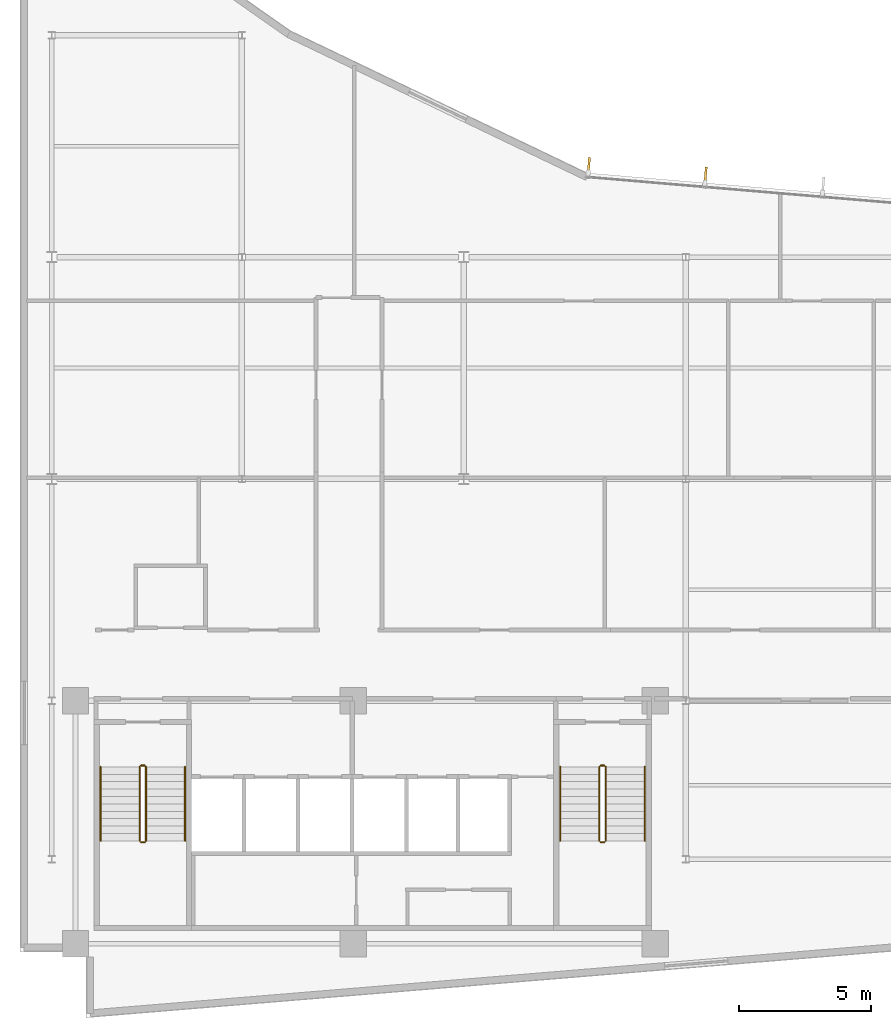
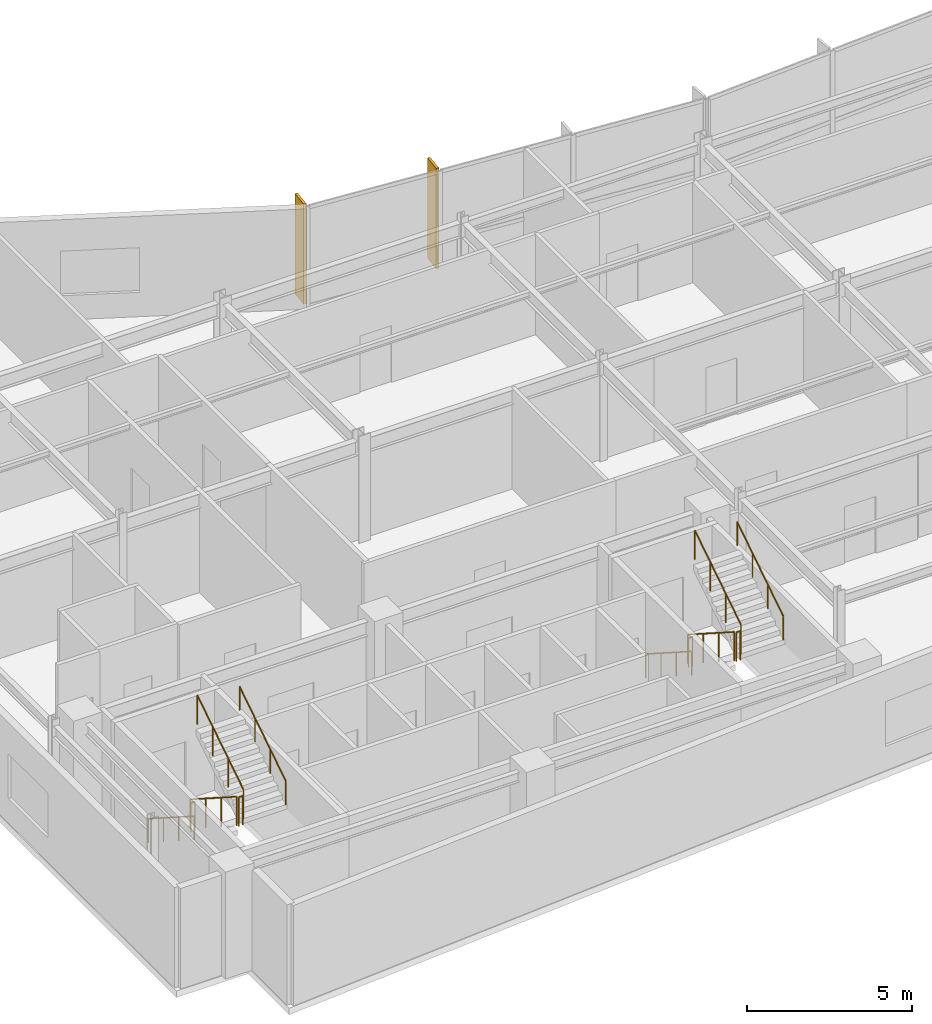
# One storey, part 12 of 14: 12 railings, 2 shading devices.
"""IFC4 building model written with IfcOpenShell, lengths in metres."""

import ifcopenshell
import ifcopenshell.guid

model = None  # the IFC model being written
_history = None  # IfcOwnerHistory: only IFC2X3 demands one
_inside = {}  # id of a spatial element -> (the spatial element, [elements in it])
_under = {}  # id of a project, library or spatial element -> (it, [spatial elements below it])
_declared = {}  # id of a project -> (the project, [libraries it declares])
_typed = {}  # id of a type object -> (the type object, [elements of that type])
_made_of = {}  # id of a material, layer set ... -> (it, [elements and type objects made of it])


def new_model(schema):
    """Start an empty IFC model of exactly this schema.

    Asked for "IFC4X3", IfcOpenShell would pick the latest addendum, in which some entities
    have other attributes; the version numbers below select the first issue.
    IFC2X3 requires an IfcOwnerHistory on every rooted entity: one is made here for all.
    """
    global model, _history
    if schema == "IFC4X3":
        model = ifcopenshell.file(schema_version=(4, 3, 0, 0))
    else:
        model = ifcopenshell.file(schema=schema)
    _inside.clear()
    _under.clear()
    _declared.clear()
    _typed.clear()
    _made_of.clear()
    _history = None
    if model.schema == "IFC2X3":
        org = make("IfcOrganization", Name="unknown")
        user = make(
            "IfcPersonAndOrganization",
            ThePerson=make("IfcPerson", FamilyName="unknown"),
            TheOrganization=org,
        )
        app = make(
            "IfcApplication",
            ApplicationDeveloper=org,
            Version="unknown",
            ApplicationFullName="unknown",
            ApplicationIdentifier="unknown",
        )
        _history = make(
            "IfcOwnerHistory",
            OwningUser=user,
            OwningApplication=app,
            ChangeAction="ADDED",
            CreationDate=0,
        )
    return model


def make(cls, **values):
    """One entity of the class cls with the attributes given. An attribute that is None is left unset."""
    return model.create_entity(
        cls, **{name: value for name, value in values.items() if value is not None}
    )


def rooted(cls, **values):
    """An entity with a GlobalId (a new one), such as an element, a storey or a relation."""
    return make(cls, GlobalId=ifcopenshell.guid.new(), OwnerHistory=_history, **values)


def si_unit(unit_type, name, prefix=None):
    """IfcSIUnit, for example si_unit("LENGTHUNIT", "METRE", prefix="MILLI")."""
    return make("IfcSIUnit", UnitType=unit_type, Prefix=prefix, Name=name)


def assignment(units):
    """IfcUnitAssignment: the units of a project."""
    return None if units is None else make("IfcUnitAssignment", Units=units)


def point(xyz):
    """IfcCartesianPoint."""
    return None if xyz is None else make("IfcCartesianPoint", Coordinates=xyz)


def direction(xyz):
    """IfcDirection."""
    return None if xyz is None else make("IfcDirection", DirectionRatios=xyz)


def frame(location, z_axis=None, x_axis=None):
    """IfcAxis2Placement3D, a coordinate frame: its origin and axes. An axis left out is left unset."""
    return make(
        "IfcAxis2Placement3D",
        Location=point(location),
        Axis=direction(z_axis),
        RefDirection=direction(x_axis),
    )


def frame_2d(location, x_axis=None):
    """IfcAxis2Placement2D, a coordinate frame in the plane: its origin and x axis."""
    return make(
        "IfcAxis2Placement2D", Location=point(location), RefDirection=direction(x_axis)
    )


def origin():
    """The frame at (0, 0, 0) with its axes left unset."""
    return frame((0.0, 0.0, 0.0))


def origin_2d():
    """The frame at (0, 0) in the plane with its x axis left unset."""
    return frame_2d((0.0, 0.0))


def place(relative_to, where):
    """IfcLocalPlacement: puts the frame where relative to a parent placement (None: the world)."""
    return make(
        "IfcLocalPlacement", PlacementRelTo=relative_to, RelativePlacement=where
    )


def context(
    kind, dimensions, precision=None, world=None, true_north=None, identifier=None
):
    """IfcGeometricRepresentationContext, for example the 3D "Model" context."""
    return make(
        "IfcGeometricRepresentationContext",
        ContextIdentifier=identifier,
        ContextType=kind,
        CoordinateSpaceDimension=dimensions,
        Precision=precision,
        WorldCoordinateSystem=world,
        TrueNorth=true_north,
    )


def subcontext(parent, identifier, kind, view, scale=None):
    """IfcGeometricRepresentationSubContext, for example "Body" below "Model"."""
    return make(
        "IfcGeometricRepresentationSubContext",
        ContextIdentifier=identifier,
        ContextType=kind,
        ParentContext=parent,
        TargetScale=scale,
        TargetView=view,
    )


def project(units=None, contexts=None):
    """IfcProject with its units and contexts."""
    return rooted(
        "IfcProject",
        Name="project",
        RepresentationContexts=contexts,
        UnitsInContext=assignment(units),
    )


def spatial(cls, under=None, at=None, **own):
    """A site, building, storey or space (cls), placed at a placement, below another one or the project."""
    s = rooted(cls, ObjectPlacement=at, **own)
    if under is not None:
        _under.setdefault(under.id(), (under, []))[1].append(s)
    return s


def profile(cls, at=None, kind="AREA", **sizes):
    """A parametric profile (cls). Its sizes go by their IFC names, for example OverallWidth=200.0."""
    return make(cls, ProfileType=kind, Position=at, **sizes)


def rectangle(**sizes):
    """IfcRectangleProfileDef."""
    return profile("IfcRectangleProfileDef", **sizes)


def circle(**sizes):
    """IfcCircleProfileDef."""
    return profile("IfcCircleProfileDef", **sizes)


def extrude(swept, where, along, depth):
    """IfcExtrudedAreaSolid: the profile swept, set in the frame where, extruded along a direction by depth."""
    return make(
        "IfcExtrudedAreaSolid",
        SweptArea=swept,
        Position=where,
        ExtrudedDirection=direction(along),
        Depth=depth,
    )


def shape(context_of_items, identifier, shape_type, items):
    """IfcShapeRepresentation: the items that make up one representation, for example the "Body"."""
    return make(
        "IfcShapeRepresentation",
        ContextOfItems=context_of_items,
        RepresentationIdentifier=identifier,
        RepresentationType=shape_type,
        Items=items,
    )


def material(Name=None, Category=None):
    """IfcMaterial."""
    return make("IfcMaterial", Name=Name, Category=Category)


def layer(
    of_material, thickness, ventilated=None, Name=None, Category=None, Priority=None
):
    """IfcMaterialLayer: one layer of a wall or slab, of a material (None: an air gap)."""
    return make(
        "IfcMaterialLayer",
        Material=of_material,
        LayerThickness=thickness,
        IsVentilated=ventilated,
        Name=Name,
        Category=Category,
        Priority=Priority,
    )


def layer_set(layers, Name=None):
    """IfcMaterialLayerSet."""
    return make("IfcMaterialLayerSet", MaterialLayers=layers, LayerSetName=Name)


def made_of(thing, what):
    """Note that an element or type object is made of a material, layer set ...; save() writes the relation."""
    if what is not None:
        _made_of.setdefault(what.id(), (what, []))[1].append(thing)
    return thing


def type_object(cls, material=None, **own):
    """A type object (cls), such as IfcWallType, which elements share."""
    return made_of(rooted(cls, **own), material)


def element(
    cls,
    number,
    at=None,
    inside=None,
    cuts=None,
    type_object=None,
    material=None,
    context=None,
    identifier="Body",
    shape_type=None,
    held_by="IfcProductDefinitionShape",
    body=None,
    shapes=None,
    **own,
):
    """One element of the class cls, such as IfcWall. Its Tag is "e" and its number.

    at: its placement. inside: the storey or other place that contains it. cuts: it is an
    opening in that element (IfcRelVoidsElement). A single representation is given by context,
    identifier, shape_type and body (its items); several are given by shapes. held_by: the class
    of the entity that holds the representations. save() writes the other relations.
    """
    e = rooted(cls, Tag="e%d" % number, ObjectPlacement=at, **own)
    if body is not None:
        shapes = [shape(context, identifier, shape_type, body)]
    if shapes is not None:
        e.Representation = make(held_by, Representations=shapes)
    if inside is not None:
        _inside.setdefault(inside.id(), (inside, []))[1].append(e)
    if cuts is not None:
        rooted(
            "IfcRelVoidsElement", RelatingBuildingElement=cuts, RelatedOpeningElement=e
        )
    if type_object is not None:
        _typed.setdefault(type_object.id(), (type_object, []))[1].append(e)
    return made_of(e, material)


def aggregate(whole, parts):
    """IfcRelAggregates: a whole, such as a stair, and the parts it consists of."""
    return rooted("IfcRelAggregates", RelatingObject=whole, RelatedObjects=parts)


def save(model, path):
    """Write the relations noted so far, then the file.

    IfcRelAggregates (storeys below a building ...), IfcRelContainedInSpatialStructure (elements
    in a storey), IfcRelDefinesByType, IfcRelAssociatesMaterial and IfcRelDeclares: one each for
    every whole, place, type object, material and project.
    """
    for whole, parts in _under.values():
        aggregate(whole, parts)
    for where, things in _inside.values():
        rooted(
            "IfcRelContainedInSpatialStructure",
            RelatedElements=things,
            RelatingStructure=where,
        )
    for kind, things in _typed.values():
        rooted("IfcRelDefinesByType", RelatedObjects=things, RelatingType=kind)
    for what, things in _made_of.values():
        rooted("IfcRelAssociatesMaterial", RelatedObjects=things, RelatingMaterial=what)
    for by, libraries in _declared.values():
        rooted("IfcRelDeclares", RelatingContext=by, RelatedDefinitions=libraries)
    model.write(path)


model = new_model("IFC4")

# Units and contexts
model_context = context("Model", 3, precision=1e-05, world=origin(), true_north=direction((0.0, 1.0)))
body_context = subcontext(model_context, "Body", "Model", "MODEL_VIEW")
ifc_project = project(units=[si_unit("LENGTHUNIT", "METRE"), si_unit("AREAUNIT", "SQUARE_METRE"), si_unit("VOLUMEUNIT", "CUBIC_METRE"), si_unit("PLANEANGLEUNIT", "RADIAN"), si_unit("MASSUNIT", "GRAM", prefix="KILO")], contexts=[model_context])

# Site, building, storey
site_placement = place(None, origin())
site = spatial("IfcSite", under=ifc_project, at=site_placement, CompositionType="ELEMENT")
building_placement = place(site_placement, origin())
building = spatial("IfcBuilding", under=site, at=building_placement, Name="Varnakote Quay Hospital", CompositionType="ELEMENT")
storey_placement = place(building_placement, frame((0.0, 0.0, 215.800048828125)))
storey = spatial("IfcBuildingStorey", under=building, at=storey_placement, Name="L53", CompositionType="ELEMENT", Elevation=215.800048828125)

# Railings
ifc_material_1 = material(Name="Brushed stainless steel balustrade", Category="steel")
railing_type_1 = type_object("IfcRailingType", Name="RLG-STAIR-GUARD-1150", PredefinedType="GUARDRAIL", material=ifc_material_1)
railing_1_placement = place(storey_placement, frame((4.530029296875, 9.5, 0.179443359375)))
element("IfcRailing", 1, at=railing_1_placement, inside=storey, type_object=railing_type_1, Name="L53 ST-01 stair guard 1", PredefinedType="GUARDRAIL", context=body_context, shape_type="SweptSolid", body=[
    extrude(circle(Radius=0.02392578125, at=origin_2d()), frame((0.0, 0.0, 1.076171875), z_axis=(0.0, -0.841809871826, 0.539774156196), x_axis=(1.0, 0.0, 0.0)), (0.0, 0.0, 1.0), 3.326171875),
    extrude(circle(Radius=0.02099609375, at=origin_2d()), origin(), (0.0, 0.0, 1.0), 1.052001953125),
    extrude(circle(Radius=0.02099609375, at=origin_2d()), frame((0.0, -0.933349609375, 0.598388671875)), (0.0, 0.0, 1.0), 1.052001953125),
    extrude(circle(Radius=0.02099609375, at=origin_2d()), frame((0.0, -1.86669921875, 1.197021484375)), (0.0, 0.0, 1.0), 1.052001953125),
    extrude(circle(Radius=0.02099609375, at=origin_2d()), frame((0.0, -2.800048828125, 1.79541015625)), (0.0, 0.0, 1.0), 1.052001953125),
])
railing_2_placement = place(storey_placement, frame((4.580078125, 6.64990234375, 1.974853515625)))
element("IfcRailing", 2, at=railing_2_placement, inside=storey, type_object=railing_type_1, Name="L53 ST-01 stair guard 2", PredefinedType="GUARDRAIL", context=body_context, shape_type="SweptSolid", body=[
    extrude(circle(Radius=0.02392578125, at=origin_2d()), frame((0.0, 0.0, 1.076171875), z_axis=(1.0, 0.0, 0.0), x_axis=(0.0, 1.0, 0.0)), (0.0, 0.0, 1.0), 0.139892578125),
    extrude(circle(Radius=0.02099609375, at=origin_2d()), origin(), (0.0, 0.0, 1.0), 1.052001953125),
    extrude(circle(Radius=0.02099609375, at=origin_2d()), frame((0.139892578125, 0.0, 0.0)), (0.0, 0.0, 1.0), 1.052001953125),
])
railing_3_placement = place(storey_placement, frame((4.77001953125, 6.699951171875, 2.154541015625)))
element("IfcRailing", 3, at=railing_3_placement, inside=storey, type_object=railing_type_1, Name="L53 ST-01 stair guard 3", PredefinedType="GUARDRAIL", context=body_context, shape_type="SweptSolid", body=[
    extrude(circle(Radius=0.02392578125, at=origin_2d()), frame((0.0, 0.0, 1.076171875), z_axis=(0.0, 0.841809871826, 0.539774156196), x_axis=(-1.0, 0.0, 0.0)), (0.0, 0.0, 1.0), 3.326171875),
    extrude(circle(Radius=0.02099609375, at=origin_2d()), origin(), (0.0, 0.0, 1.0), 1.052001953125),
    extrude(circle(Radius=0.02099609375, at=origin_2d()), frame((0.0, 0.933349609375, 0.598388671875)), (0.0, 0.0, 1.0), 1.052001953125),
    extrude(circle(Radius=0.02099609375, at=origin_2d()), frame((0.0, 1.86669921875, 1.197021484375)), (0.0, 0.0, 1.0), 1.052001953125),
    extrude(circle(Radius=0.02099609375, at=origin_2d()), frame((0.0, 2.800048828125, 1.79541015625)), (0.0, 0.0, 1.0), 1.052001953125),
])
railing_4_placement = place(storey_placement, frame((4.580078125, 9.550048828125, 0.0)))
element("IfcRailing", 4, at=railing_4_placement, inside=storey, type_object=railing_type_1, Name="L53 ST-01 stair guard 4", PredefinedType="GUARDRAIL", context=body_context, shape_type="SweptSolid", body=[
    extrude(circle(Radius=0.02392578125, at=origin_2d()), frame((0.0, 0.0, 1.076171875), z_axis=(1.0, 0.0, 0.0), x_axis=(0.0, 1.0, 0.0)), (0.0, 0.0, 1.0), 0.139892578125),
    extrude(circle(Radius=0.02099609375, at=origin_2d()), origin(), (0.0, 0.0, 1.0), 1.052001953125),
    extrude(circle(Radius=0.02099609375, at=origin_2d()), frame((0.139892578125, 0.0, 0.0)), (0.0, 0.0, 1.0), 1.052001953125),
])
railing_5_placement = place(storey_placement, frame((21.929931640625, 9.5, 0.179443359375)))
element("IfcRailing", 5, at=railing_5_placement, inside=storey, type_object=railing_type_1, Name="L53 ST-02 stair guard 1", PredefinedType="GUARDRAIL", context=body_context, shape_type="SweptSolid", body=[
    extrude(circle(Radius=0.02392578125, at=origin_2d()), frame((0.0, 0.0, 1.076171875), z_axis=(0.0, -0.841809871826, 0.539774156196), x_axis=(1.0, 0.0, 0.0)), (0.0, 0.0, 1.0), 3.326171875),
    extrude(circle(Radius=0.02099609375, at=origin_2d()), origin(), (0.0, 0.0, 1.0), 1.052001953125),
    extrude(circle(Radius=0.02099609375, at=origin_2d()), frame((0.0, -0.933349609375, 0.598388671875)), (0.0, 0.0, 1.0), 1.052001953125),
    extrude(circle(Radius=0.02099609375, at=origin_2d()), frame((0.0, -1.86669921875, 1.197021484375)), (0.0, 0.0, 1.0), 1.052001953125),
    extrude(circle(Radius=0.02099609375, at=origin_2d()), frame((0.0, -2.800048828125, 1.79541015625)), (0.0, 0.0, 1.0), 1.052001953125),
])
railing_6_placement = place(storey_placement, frame((21.97998046875, 6.64990234375, 1.974853515625)))
element("IfcRailing", 6, at=railing_6_placement, inside=storey, type_object=railing_type_1, Name="L53 ST-02 stair guard 2", PredefinedType="GUARDRAIL", context=body_context, shape_type="SweptSolid", body=[
    extrude(circle(Radius=0.02392578125, at=origin_2d()), frame((0.0, 0.0, 1.076171875), z_axis=(1.0, 0.0, 0.0), x_axis=(0.0, 1.0, 0.0)), (0.0, 0.0, 1.0), 0.14013671875),
    extrude(circle(Radius=0.02099609375, at=origin_2d()), origin(), (0.0, 0.0, 1.0), 1.052001953125),
    extrude(circle(Radius=0.02099609375, at=origin_2d()), frame((0.14013671875, 0.0, 0.0)), (0.0, 0.0, 1.0), 1.052001953125),
])
railing_7_placement = place(storey_placement, frame((22.169921875, 6.699951171875, 2.154541015625)))
element("IfcRailing", 7, at=railing_7_placement, inside=storey, type_object=railing_type_1, Name="L53 ST-02 stair guard 3", PredefinedType="GUARDRAIL", context=body_context, shape_type="SweptSolid", body=[
    extrude(circle(Radius=0.02392578125, at=origin_2d()), frame((0.0, 0.0, 1.076171875), z_axis=(0.0, 0.841809871826, 0.539774156196), x_axis=(-1.0, 0.0, 0.0)), (0.0, 0.0, 1.0), 3.326171875),
    extrude(circle(Radius=0.02099609375, at=origin_2d()), origin(), (0.0, 0.0, 1.0), 1.052001953125),
    extrude(circle(Radius=0.02099609375, at=origin_2d()), frame((0.0, 0.933349609375, 0.598388671875)), (0.0, 0.0, 1.0), 1.052001953125),
    extrude(circle(Radius=0.02099609375, at=origin_2d()), frame((0.0, 1.86669921875, 1.197021484375)), (0.0, 0.0, 1.0), 1.052001953125),
    extrude(circle(Radius=0.02099609375, at=origin_2d()), frame((0.0, 2.800048828125, 1.79541015625)), (0.0, 0.0, 1.0), 1.052001953125),
])
railing_8_placement = place(storey_placement, frame((21.97998046875, 9.550048828125, 0.0)))
element("IfcRailing", 8, at=railing_8_placement, inside=storey, type_object=railing_type_1, Name="L53 ST-02 stair guard 4", PredefinedType="GUARDRAIL", context=body_context, shape_type="SweptSolid", body=[
    extrude(circle(Radius=0.02392578125, at=origin_2d()), frame((0.0, 0.0, 1.076171875), z_axis=(1.0, 0.0, 0.0), x_axis=(0.0, 1.0, 0.0)), (0.0, 0.0, 1.0), 0.14013671875),
    extrude(circle(Radius=0.02099609375, at=origin_2d()), origin(), (0.0, 0.0, 1.0), 1.052001953125),
    extrude(circle(Radius=0.02099609375, at=origin_2d()), frame((0.14013671875, 0.0, 0.0)), (0.0, 0.0, 1.0), 1.052001953125),
])
ifc_material_2 = material(Name="Brushed stainless steel handrail", Category="steel")
railing_type_2 = type_object("IfcRailingType", Name="RLG-STAIR-HND-920", PredefinedType="HANDRAIL", material=ifc_material_2)
railing_9_placement = place(storey_placement, frame((3.050048828125, 9.5, 0.179443359375)))
element("IfcRailing", 9, at=railing_9_placement, inside=storey, type_object=railing_type_2, Name="L53 ST-01 stair handrail 1", PredefinedType="HANDRAIL", context=body_context, shape_type="SweptSolid", body=[
    extrude(circle(Radius=0.02392578125, at=origin_2d()), frame((0.0, 0.0, 0.8759765625), z_axis=(0.0, -0.841809871826, 0.539774156196), x_axis=(1.0, 0.0, 0.0)), (0.0, 0.0, 1.0), 3.326171875),
    extrude(circle(Radius=0.02099609375, at=origin_2d()), origin(), (0.0, 0.0, 1.0), 0.851806640625),
    extrude(circle(Radius=0.02099609375, at=origin_2d()), frame((0.0, -0.933349609375, 0.598388671875)), (0.0, 0.0, 1.0), 0.851806640625),
    extrude(circle(Radius=0.02099609375, at=origin_2d()), frame((0.0, -1.86669921875, 1.197021484375)), (0.0, 0.0, 1.0), 0.851806640625),
    extrude(circle(Radius=0.02099609375, at=origin_2d()), frame((0.0, -2.800048828125, 1.79541015625)), (0.0, 0.0, 1.0), 0.851806640625),
])
railing_10_placement = place(storey_placement, frame((6.25, 6.699951171875, 2.154541015625)))
element("IfcRailing", 10, at=railing_10_placement, inside=storey, type_object=railing_type_2, Name="L53 ST-01 stair handrail 2", PredefinedType="HANDRAIL", context=body_context, shape_type="SweptSolid", body=[
    extrude(circle(Radius=0.02392578125, at=origin_2d()), frame((0.0, 0.0, 0.8759765625), z_axis=(0.0, 0.841809871826, 0.539774156196), x_axis=(-1.0, 0.0, 0.0)), (0.0, 0.0, 1.0), 3.326171875),
    extrude(circle(Radius=0.02099609375, at=origin_2d()), origin(), (0.0, 0.0, 1.0), 0.851806640625),
    extrude(circle(Radius=0.02099609375, at=origin_2d()), frame((0.0, 0.933349609375, 0.598388671875)), (0.0, 0.0, 1.0), 0.851806640625),
    extrude(circle(Radius=0.02099609375, at=origin_2d()), frame((0.0, 1.86669921875, 1.197021484375)), (0.0, 0.0, 1.0), 0.851806640625),
    extrude(circle(Radius=0.02099609375, at=origin_2d()), frame((0.0, 2.800048828125, 1.79541015625)), (0.0, 0.0, 1.0), 0.851806640625),
])
railing_11_placement = place(storey_placement, frame((20.449951171875, 9.5, 0.179443359375)))
element("IfcRailing", 11, at=railing_11_placement, inside=storey, type_object=railing_type_2, Name="L53 ST-02 stair handrail 1", PredefinedType="HANDRAIL", context=body_context, shape_type="SweptSolid", body=[
    extrude(circle(Radius=0.02392578125, at=origin_2d()), frame((0.0, 0.0, 0.8759765625), z_axis=(0.0, -0.841809871826, 0.539774156196), x_axis=(1.0, 0.0, 0.0)), (0.0, 0.0, 1.0), 3.326171875),
    extrude(circle(Radius=0.02099609375, at=origin_2d()), origin(), (0.0, 0.0, 1.0), 0.851806640625),
    extrude(circle(Radius=0.02099609375, at=origin_2d()), frame((0.0, -0.933349609375, 0.598388671875)), (0.0, 0.0, 1.0), 0.851806640625),
    extrude(circle(Radius=0.02099609375, at=origin_2d()), frame((0.0, -1.86669921875, 1.197021484375)), (0.0, 0.0, 1.0), 0.851806640625),
    extrude(circle(Radius=0.02099609375, at=origin_2d()), frame((0.0, -2.800048828125, 1.79541015625)), (0.0, 0.0, 1.0), 0.851806640625),
])
railing_12_placement = place(storey_placement, frame((23.64990234375, 6.699951171875, 2.154541015625)))
element("IfcRailing", 12, at=railing_12_placement, inside=storey, type_object=railing_type_2, Name="L53 ST-02 stair handrail 2", PredefinedType="HANDRAIL", context=body_context, shape_type="SweptSolid", body=[
    extrude(circle(Radius=0.02392578125, at=origin_2d()), frame((0.0, 0.0, 0.8759765625), z_axis=(0.0, 0.841809871826, 0.539774156196), x_axis=(-1.0, 0.0, 0.0)), (0.0, 0.0, 1.0), 3.326171875),
    extrude(circle(Radius=0.02099609375, at=origin_2d()), origin(), (0.0, 0.0, 1.0), 0.851806640625),
    extrude(circle(Radius=0.02099609375, at=origin_2d()), frame((0.0, 0.933349609375, 0.598388671875)), (0.0, 0.0, 1.0), 0.851806640625),
    extrude(circle(Radius=0.02099609375, at=origin_2d()), frame((0.0, 1.86669921875, 1.197021484375)), (0.0, 0.0, 1.0), 0.851806640625),
    extrude(circle(Radius=0.02099609375, at=origin_2d()), frame((0.0, 2.800048828125, 1.79541015625)), (0.0, 0.0, 1.0), 0.851806640625),
])

# Shading devices
ifc_material_3 = material(Name="Anodised aluminium 6063-T6 Bronze", Category="aluminium")
ifc_layer = layer(ifc_material_3, 0.0849609375)
ifc_layer_set = layer_set([ifc_layer], Name="Anodised aluminium 6063-T6 Bronze")
shading_device_type = type_object("IfcShadingDeviceType", Name="SHD-BRONZE-FIN-620", PredefinedType="USERDEFINED", material=ifc_layer_set)
for number, where, z_axis, x_axis, name in (
    (13, (25.9501953125, 31.8955078125, 0.0), (0.0, 0.0, 1.0), (-0.084199594279, -0.996448909038, 0.0), "L53 Anodised Bronze Vertical Shading FIN"),
    (14, (21.531494140625, 32.268798828125, 0.0), (0.0, 0.0, 1.0), (-0.084199594279, -0.996448909038, 0.0), "L53 Anodised Bronze Vertical Shading FIN"),
):
    element("IfcShadingDevice", number, at=place(storey_placement, frame(where, z_axis=z_axis, x_axis=x_axis)), inside=storey, type_object=shading_device_type, Name=name, ObjectType="FIN", PredefinedType="USERDEFINED", context=body_context, shape_type="SweptSolid", body=[
        extrude(rectangle(XDim=0.6201171875, YDim=0.0849609375, at=origin_2d()), origin(), (0.0, 0.0, 1.0), 3.7099609375),
    ])

save(model, "model.ifc")
